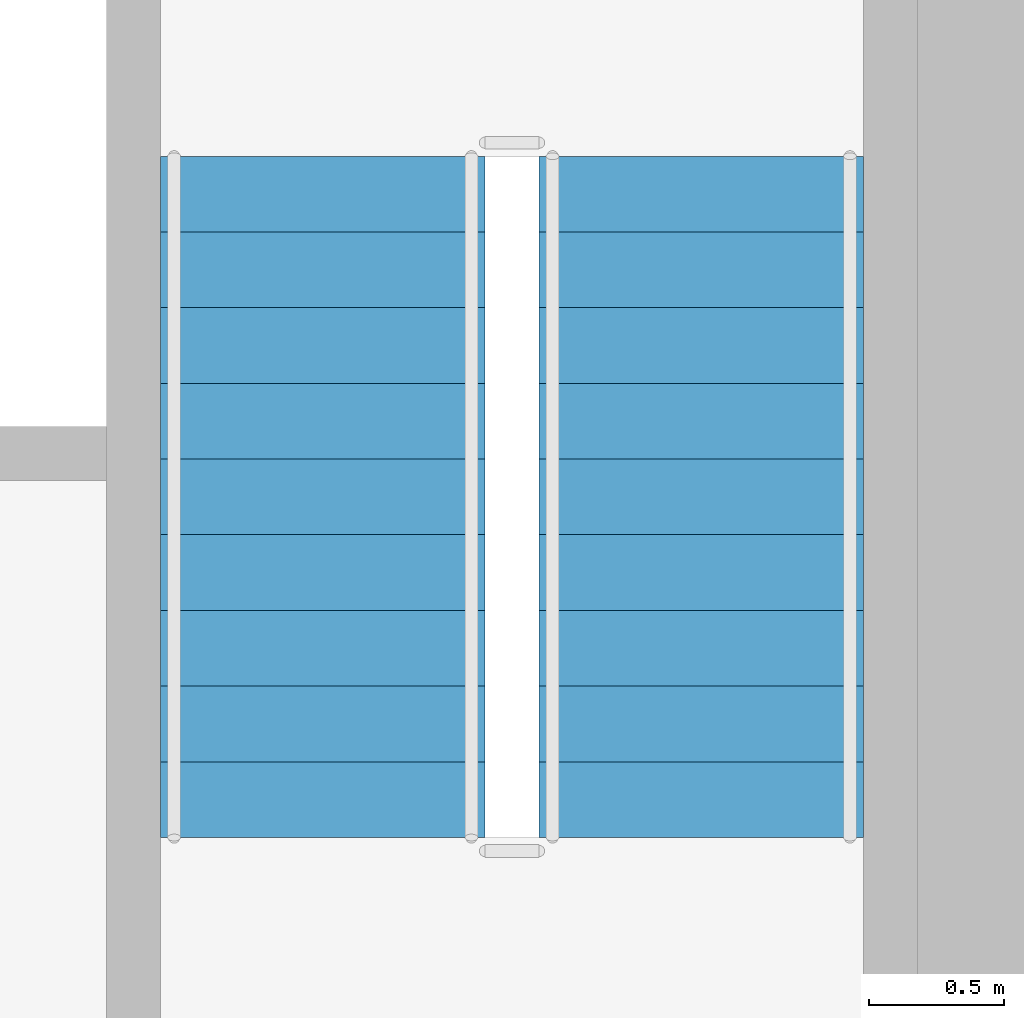
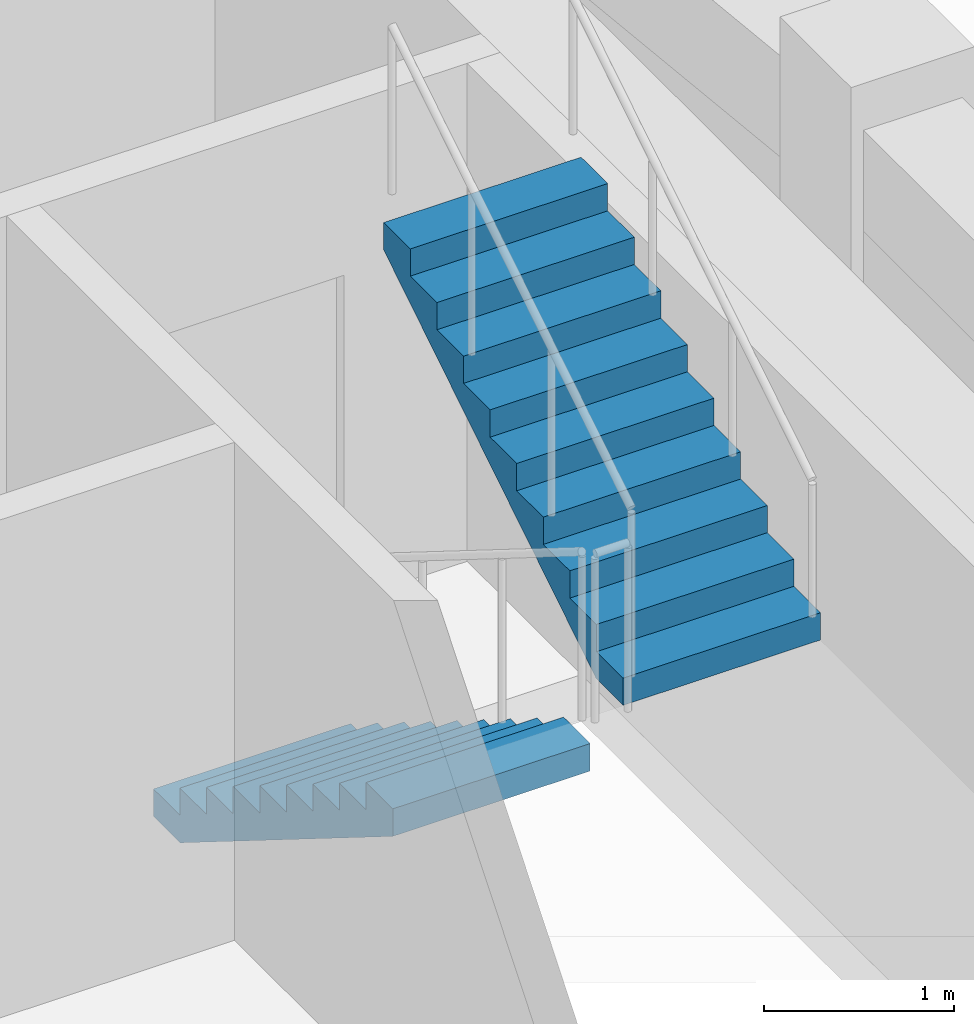
# One storey, part 9 of 16: 2 stair flights, 1 element without a shape of its own.
"""IFC4 building model written with IfcOpenShell, lengths in metres."""

from ifc_helpers import new_model, si_unit, direction, frame, origin, place, context, subcontext, project, spatial, polyline, outline, extrude, material, type_object, element, aggregate, save


model = new_model("IFC4")

# Units and contexts
model_context = context("Model", 3, precision=1e-05, world=origin(), true_north=direction((0.0, 1.0)))
body_context = subcontext(model_context, "Body", "Model", "MODEL_VIEW")
ifc_project = project(units=[si_unit("LENGTHUNIT", "METRE"), si_unit("AREAUNIT", "SQUARE_METRE"), si_unit("VOLUMEUNIT", "CUBIC_METRE"), si_unit("PLANEANGLEUNIT", "RADIAN"), si_unit("MASSUNIT", "GRAM", prefix="KILO")], contexts=[model_context])

# Site, building, storey
site_placement = place(None, origin())
site = spatial("IfcSite", under=ifc_project, at=site_placement, CompositionType="ELEMENT")
building_placement = place(site_placement, origin())
building = spatial("IfcBuilding", under=site, at=building_placement, Name="Kiln Ring Residences", CompositionType="ELEMENT")
storey_placement = place(building_placement, frame((0.0, 0.0, 273.199951171875)))
storey = spatial("IfcBuildingStorey", under=building, at=storey_placement, Name="L71", CompositionType="ELEMENT", Elevation=273.199951171875)

# Stair, stair flights
ifc_material_1 = material(Name="Concrete C40/50", Category="concrete")
stair_type = type_object("IfcStairType", Name="CORE-STAIR", PredefinedType="HALF_TURN_STAIR", material=ifc_material_1)
stair_placement = place(storey_placement, origin())
stair = element("IfcStair", 1, at=stair_placement, inside=storey, type_object=stair_type, Name="L71 stair E-STN", PredefinedType="HALF_TURN_STAIR")
ifc_material_2 = material(Name="Concrete C40/50", Category="concrete")
stair_flight_type = type_object("IfcStairFlightType", Name="CORE-STAIR-FLIGHT", PredefinedType="STRAIGHT", material=ifc_material_2)
stair_flight_1_placement = place(storey_placement, frame((21.39990234375, 8.39990234375, 0.0), z_axis=(0.0, 0.0, 1.0), x_axis=(0.0, -1.0, 0.0)))
stair_flight_1 = element("IfcStairFlight", 2, at=stair_flight_1_placement, type_object=stair_flight_type, Name="E-STN flight 1", NumberOfRisers=10, NumberOfTreads=9, PredefinedType="STRAIGHT", RiserHeight=0.175, TreadLength=0.28, context=body_context, shape_type="SweptSolid", body=[
    extrude(outline(polyline([(0.0, 0.0), (0.0, 0.175048828125), (0.280029296875, 0.175048828125), (0.280029296875, 0.35009765625), (0.56005859375, 0.35009765625), (0.56005859375, 0.52490234375), (0.840087890625, 0.52490234375), (0.840087890625, 0.699951171875), (1.1201171875, 0.699951171875), (1.1201171875, 0.875), (1.39990234375, 0.875), (1.39990234375, 1.050048828125), (1.679931640625, 1.050048828125), (1.679931640625, 1.22509765625), (1.9599609375, 1.22509765625), (1.9599609375, 1.39990234375), (2.239990234375, 1.39990234375), (2.239990234375, 1.574951171875), (2.52001953125, 1.574951171875), (2.52001953125, 1.75), (2.52001953125, 1.398193359375), (0.28271484375, 0.0), (0.0, 0.0)])), frame((0.0, 0.60009765625, 0.0), z_axis=(0.0, -1.0, 0.0), x_axis=(1.0, 0.0, 0.0)), (0.0, 0.0, 1.0), 1.199951171875),
])
stair_flight_2_placement = place(storey_placement, frame((22.800048828125, 5.8798828125, 1.75), z_axis=(0.0, 0.0, 1.0), x_axis=(0.0, 1.0, 0.0)))
stair_flight_2 = element("IfcStairFlight", 3, at=stair_flight_2_placement, type_object=stair_flight_type, Name="E-STN flight 2", NumberOfRisers=10, NumberOfTreads=9, PredefinedType="STRAIGHT", RiserHeight=0.175, TreadLength=0.28, context=body_context, shape_type="SweptSolid", body=[
    extrude(outline(polyline([(0.0, 0.0), (0.0, 0.175048828125), (0.280029296875, 0.175048828125), (0.280029296875, 0.35009765625), (0.56005859375, 0.35009765625), (0.56005859375, 0.52490234375), (0.840087890625, 0.52490234375), (0.840087890625, 0.699951171875), (1.1201171875, 0.699951171875), (1.1201171875, 0.875), (1.39990234375, 0.875), (1.39990234375, 1.050048828125), (1.679931640625, 1.050048828125), (1.679931640625, 1.22509765625), (1.9599609375, 1.22509765625), (1.9599609375, 1.39990234375), (2.239990234375, 1.39990234375), (2.239990234375, 1.574951171875), (2.52001953125, 1.574951171875), (2.52001953125, 1.75), (2.52001953125, 1.398193359375), (0.28271484375, 0.0), (0.0, 0.0)])), frame((0.0, 0.60009765625, 0.0), z_axis=(0.0, -1.0, 0.0), x_axis=(1.0, 0.0, 0.0)), (0.0, 0.0, 1.0), 1.199951171875),
])
aggregate(stair, [stair_flight_1, stair_flight_2])

save(model, "model.ifc")
